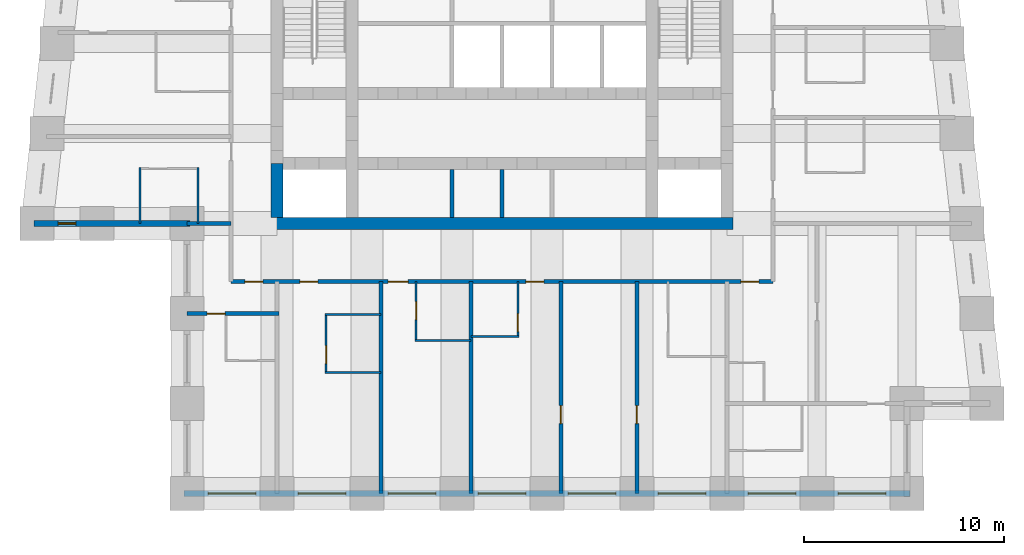
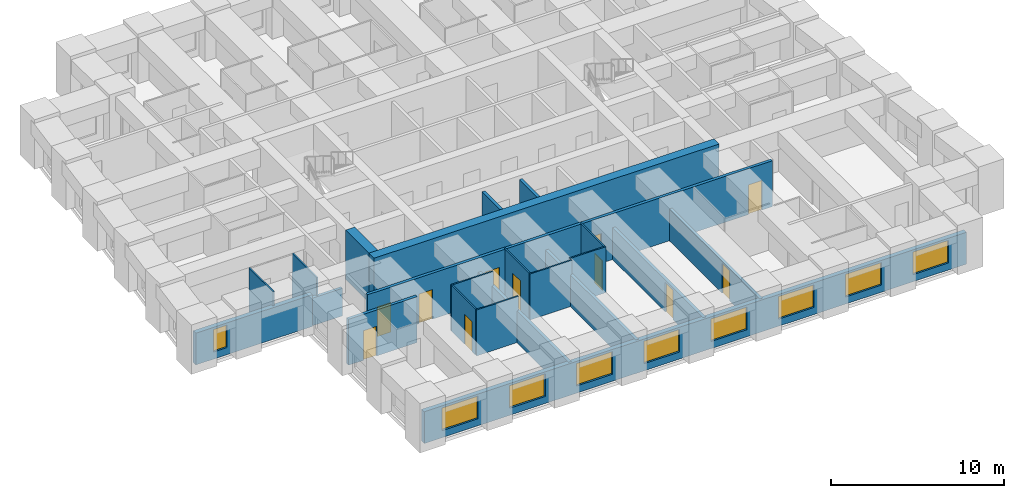
# One storey, part 2 of 8: 22 walls, 11 doors, 9 windows, 20 openings.
"""IFC4 building model written with IfcOpenShell, lengths in metres."""

from ifc_helpers import new_model, si_unit, direction, frame, frame_2d, origin, place, context, subcontext, project, spatial, rectangle, extrude, material, layer, layer_set, type_object, element, fill, save


model = new_model("IFC4")

# Units and contexts
model_context = context("Model", 3, precision=1e-05, world=origin(), true_north=direction((0.0, 1.0)))
body_context = subcontext(model_context, "Body", "Model", "MODEL_VIEW")
ifc_project = project(units=[si_unit("LENGTHUNIT", "METRE"), si_unit("AREAUNIT", "SQUARE_METRE"), si_unit("VOLUMEUNIT", "CUBIC_METRE"), si_unit("PLANEANGLEUNIT", "RADIAN"), si_unit("MASSUNIT", "GRAM", prefix="KILO")], contexts=[model_context])

# Site, building, storey
site_placement = place(None, origin())
site = spatial("IfcSite", under=ifc_project, at=site_placement, CompositionType="ELEMENT")
building_placement = place(site_placement, origin())
building = spatial("IfcBuilding", under=site, at=building_placement, Name="Kilele Tower Hotel", CompositionType="ELEMENT")
storey_placement = place(building_placement, frame((0.0, 0.0, 190.39990234375)))
storey = spatial("IfcBuildingStorey", under=building, at=storey_placement, Name="L49", CompositionType="ELEMENT", Elevation=190.39990234375)

# Walls
ifc_material_1 = material(Name="Moisture-resistant board")
ifc_layer_1 = layer(ifc_material_1, 0.10009765625)
ifc_layer_set_1 = layer_set([ifc_layer_1], Name="Moisture-resistant board")
wall_type_1 = type_object("IfcWallType", Name="Bathroom partition 100", PredefinedType="PLUMBINGWALL", material=ifc_layer_set_1)
for number, where, z_axis, x_axis, name in (
    (1, (15.89990234375, 8.949951171875, 0.0), (0.0, 0.0, 1.0), (1.0, 0.0, 0.0), "Bathroom partition 100 L49"),
    (2, (15.89990234375, 6.050048828125, 0.0), (0.0, 0.0, 1.0), (1.0, 0.0, 0.0), "Bathroom partition 100 L49"),
):
    element("IfcWall", number, at=place(storey_placement, frame(where, z_axis=z_axis, x_axis=x_axis)), inside=storey, type_object=wall_type_1, Name=name, PredefinedType="PLUMBINGWALL", context=body_context, shape_type="SweptSolid", body=[
        extrude(rectangle(XDim=2.800048828125, YDim=0.10009765625, at=frame_2d((1.39990234375, 0.0))), origin(), (0.0, 0.0, 1.0), 3.25),
    ])

# Wall, opening, door
wall_1_placement = place(storey_placement, frame((15.949951171875, 9.0, 0.0), z_axis=(0.0, 0.0, 1.0), x_axis=(0.0, -1.0, 0.0)))
wall_1 = element("IfcWall", 3, at=wall_1_placement, inside=storey, type_object=wall_type_1, Name="Bathroom partition 100 L49", PredefinedType="PLUMBINGWALL", context=body_context, shape_type="SweptSolid", body=[
    extrude(rectangle(XDim=3.0, YDim=0.10009765625, at=frame_2d((1.5, 0.0))), origin(), (0.0, 0.0, 1.0), 3.25),
])
opening_1_placement = place(wall_1_placement, frame((2.5, 0.0, 0.0), z_axis=(0.0, 0.0, 1.0), x_axis=(-1.0, 0.0, 0.0)))
opening_1 = element("IfcOpeningElement", 4, at=opening_1_placement, cuts=wall_1, Name="Opening D2A", PredefinedType="OPENING", context=body_context, shape_type="SweptSolid", body=[
    extrude(rectangle(XDim=0.89990234375, YDim=2.10009765625, at=frame_2d((0.449951171875, 1.050048828125))), frame((0.0, 0.06005859375, 0.0), z_axis=(0.0, -1.0, 0.0), x_axis=(1.0, 0.0, 0.0)), (0.0, 0.0, 1.0), 0.1201171875),
])
ifc_material_2 = material(Name="Timber door leaf in hardwood frame", Category="wood")
door_type_1 = type_object("IfcDoorType", Name="Bathroom door 900", OperationType="SINGLE_SWING_LEFT", PredefinedType="DOOR", material=ifc_material_2)
door_1_placement = place(opening_1_placement, origin())
door_1 = element("IfcDoor", 5, at=door_1_placement, inside=storey, type_object=door_type_1, Name="Bathroom door 4901B", OperationType="SINGLE_SWING_LEFT", OverallHeight=2.10009765625, OverallWidth=0.89990234375, PredefinedType="DOOR", context=body_context, shape_type="SweptSolid", body=[
    extrude(rectangle(XDim=0.89990234375, YDim=2.10009765625, at=frame_2d((0.449951171875, 1.050048828125))), frame((0.0, 0.02490234375, 0.0), z_axis=(0.0, -1.0, 0.0), x_axis=(1.0, 0.0, 0.0)), (0.0, 0.0, 1.0), 0.050048828125),
])
fill(opening_1, door_1)

# Wall
wall_2_placement = place(storey_placement, frame((20.39990234375, 7.64990234375, 0.0), z_axis=(0.0, 0.0, 1.0), x_axis=(1.0, 0.0, 0.0)))
element("IfcWall", 6, at=wall_2_placement, inside=storey, type_object=wall_type_1, Name="Bathroom partition 100 L49", PredefinedType="PLUMBINGWALL", context=body_context, shape_type="SweptSolid", body=[
    extrude(rectangle(XDim=2.800048828125, YDim=0.10009765625, at=frame_2d((1.39990234375, 0.0))), origin(), (0.0, 0.0, 1.0), 3.25),
])

# Wall, opening, door
wall_3_placement = place(storey_placement, frame((20.449951171875, 10.60009765625, 0.0), z_axis=(0.0, 0.0, 1.0), x_axis=(0.0, -1.0, 0.0)))
wall_3 = element("IfcWall", 7, at=wall_3_placement, inside=storey, type_object=wall_type_1, Name="Bathroom partition 100 L49", PredefinedType="PLUMBINGWALL", context=body_context, shape_type="SweptSolid", body=[
    extrude(rectangle(XDim=3.0, YDim=0.10009765625, at=frame_2d((1.5, 0.0))), origin(), (0.0, 0.0, 1.0), 3.25),
])
opening_2_placement = place(wall_3_placement, frame((1.89990234375, 0.0, 0.0), z_axis=(0.0, 0.0, 1.0), x_axis=(-1.0, 0.0, 0.0)))
opening_2 = element("IfcOpeningElement", 8, at=opening_2_placement, cuts=wall_3, Name="Opening D2A", PredefinedType="OPENING", context=body_context, shape_type="SweptSolid", body=[
    extrude(rectangle(XDim=0.89990234375, YDim=2.10009765625, at=frame_2d((0.449951171875, 1.050048828125))), frame((0.0, 0.06005859375, 0.0), z_axis=(0.0, -1.0, 0.0), x_axis=(1.0, 0.0, 0.0)), (0.0, 0.0, 1.0), 0.1201171875),
])
door_2_placement = place(opening_2_placement, origin())
door_2 = element("IfcDoor", 9, at=door_2_placement, inside=storey, type_object=door_type_1, Name="Bathroom door 4902B", OperationType="SINGLE_SWING_RIGHT", OverallHeight=2.10009765625, OverallWidth=0.89990234375, PredefinedType="DOOR", context=body_context, shape_type="SweptSolid", body=[
    extrude(rectangle(XDim=0.89990234375, YDim=2.10009765625, at=frame_2d((0.449951171875, 1.050048828125))), frame((0.0, 0.02490234375, 0.0), z_axis=(0.0, -1.0, 0.0), x_axis=(1.0, 0.0, 0.0)), (0.0, 0.0, 1.0), 0.050048828125),
])
fill(opening_2, door_2)

# Wall
wall_4_placement = place(storey_placement, frame((23.199951171875, 7.85009765625, 0.0), z_axis=(0.0, 0.0, 1.0), x_axis=(1.0, 0.0, 0.0)))
element("IfcWall", 10, at=wall_4_placement, inside=storey, type_object=wall_type_1, Name="Bathroom partition 100 L49", PredefinedType="PLUMBINGWALL", context=body_context, shape_type="SweptSolid", body=[
    extrude(rectangle(XDim=2.400146484375, YDim=0.10009765625, at=frame_2d((1.2001953125, 0.0))), origin(), (0.0, 0.0, 1.0), 3.25),
])

# Wall, opening, door
wall_5_placement = place(storey_placement, frame((25.550048828125, 10.60009765625, 0.0), z_axis=(0.0, 0.0, 1.0), x_axis=(0.0, -1.0, 0.0)))
wall_5 = element("IfcWall", 11, at=wall_5_placement, inside=storey, type_object=wall_type_1, Name="Bathroom partition 100 L49", PredefinedType="PLUMBINGWALL", context=body_context, shape_type="SweptSolid", body=[
    extrude(rectangle(XDim=2.800048828125, YDim=0.10009765625, at=frame_2d((1.39990234375, 0.0))), origin(), (0.0, 0.0, 1.0), 3.25),
])
opening_3_placement = place(wall_5_placement, frame((1.60009765625, 0.0, 0.0)))
opening_3 = element("IfcOpeningElement", 12, at=opening_3_placement, cuts=wall_5, Name="Opening D2A", PredefinedType="OPENING", context=body_context, shape_type="SweptSolid", body=[
    extrude(rectangle(XDim=0.89990234375, YDim=2.10009765625, at=frame_2d((0.449951171875, 1.050048828125))), frame((0.0, 0.06005859375, 0.0), z_axis=(0.0, -1.0, 0.0), x_axis=(1.0, 0.0, 0.0)), (0.0, 0.0, 1.0), 0.1201171875),
])
door_3_placement = place(opening_3_placement, origin())
door_3 = element("IfcDoor", 13, at=door_3_placement, inside=storey, type_object=door_type_1, Name="Bathroom door 4903B", OperationType="SINGLE_SWING_RIGHT", OverallHeight=2.10009765625, OverallWidth=0.89990234375, PredefinedType="DOOR", context=body_context, shape_type="SweptSolid", body=[
    extrude(rectangle(XDim=0.89990234375, YDim=2.10009765625, at=frame_2d((0.449951171875, 1.050048828125))), frame((0.0, 0.02490234375, 0.0), z_axis=(0.0, -1.0, 0.0), x_axis=(1.0, 0.0, 0.0)), (0.0, 0.0, 1.0), 0.050048828125),
])
fill(opening_3, door_3)

# Walls
for number, where, z_axis, x_axis, name in (
    (14, (9.550048828125, 13.5, 0.0), (0.0, 0.0, 1.0), (0.0, 1.0, 0.0), "Bathroom partition 100 L49"),
    (15, (6.64990234375, 13.5, 0.0), (0.0, 0.0, 1.0), (0.0, 1.0, 0.0), "Bathroom partition 100 L49"),
):
    element("IfcWall", number, at=place(storey_placement, frame(where, z_axis=z_axis, x_axis=x_axis)), inside=storey, type_object=wall_type_1, Name=name, PredefinedType="PLUMBINGWALL", context=body_context, shape_type="SweptSolid", body=[
        extrude(rectangle(XDim=2.800048828125, YDim=0.10009765625, at=frame_2d((1.39990234375, 0.0))), origin(), (0.0, 0.0, 1.0), 3.25),
    ])
ifc_material_3 = material(Name="Concrete C70/85", Category="concrete")
ifc_layer_2 = layer(ifc_material_3, 0.60009765625)
ifc_layer_set_2 = layer_set([ifc_layer_2], Name="Concrete C70/85")
wall_type_2 = type_object("IfcWallType", Name="Core wall 600 C70/85", PredefinedType="SHEAR", material=ifc_layer_set_2)
wall_6_placement = place(storey_placement, frame((13.199951171875, 13.5, 0.0), z_axis=(0.0, 0.0, 1.0), x_axis=(1.0, 0.0, 0.0)))
element("IfcWall", 16, at=wall_6_placement, inside=storey, type_object=wall_type_2, Name="Core wall S L49", PredefinedType="SHEAR", context=body_context, shape_type="SweptSolid", body=[
    extrude(rectangle(XDim=23.10009765625, YDim=0.60009765625, at=frame_2d((11.550048828125, 0.0))), origin(), (0.0, 0.0, 1.0), 3.5),
])
wall_7_placement = place(storey_placement, frame((13.5, 16.5, 0.0), z_axis=(0.0, 0.0, 1.0), x_axis=(0.0, -1.0, 0.0)))
element("IfcWall", 17, at=wall_7_placement, inside=storey, type_object=wall_type_2, Name="Core wall W3 L49", PredefinedType="SHEAR", context=body_context, shape_type="SweptSolid", body=[
    extrude(rectangle(XDim=2.699951171875, YDim=0.60009765625, at=frame_2d((1.35009765625, 0.0))), origin(), (0.0, 0.0, 1.0), 3.5),
])

# Wall, openings, doors
ifc_material_4 = material(Name="Blockwork, plastered both sides", Category="masonry")
ifc_layer_3 = layer(ifc_material_4, 0.199951171875)
ifc_layer_set_3 = layer_set([ifc_layer_3], Name="Blockwork, plastered both sides")
wall_type_3 = type_object("IfcWallType", Name="Corridor wall 200", PredefinedType="PARTITIONING", material=ifc_layer_set_3)
wall_8_placement = place(storey_placement, frame((11.199951171875, 10.60009765625, 0.0), z_axis=(0.0, 0.0, 1.0), x_axis=(1.0, 0.0, 0.0)))
wall_8 = element("IfcWall", 18, at=wall_8_placement, inside=storey, type_object=wall_type_3, Name="Corridor wall 200 L49", PredefinedType="PARTITIONING", context=body_context, shape_type="SweptSolid", body=[
    extrude(rectangle(XDim=27.10009765625, YDim=0.199951171875, at=frame_2d((13.550048828125, 0.0))), origin(), (0.0, 0.0, 1.0), 3.25),
])
opening_4_placement = place(wall_8_placement, frame((4.349853515625, 0.0, 0.0), z_axis=(0.0, 0.0, 1.0), x_axis=(-1.0, 0.0, 0.0)))
opening_4 = element("IfcOpeningElement", 19, at=opening_4_placement, cuts=wall_8, Name="Opening D1", PredefinedType="OPENING", context=body_context, shape_type="SweptSolid", body=[
    extrude(rectangle(XDim=0.89990234375, YDim=2.10009765625, at=frame_2d((0.449951171875, 1.050048828125))), frame((0.0, 0.10986328125, 0.0), z_axis=(0.0, -1.0, 0.0), x_axis=(1.0, 0.0, 0.0)), (0.0, 0.0, 1.0), 0.219970703125),
])
opening_5_placement = place(wall_8_placement, frame((8.85009765625, 0.0, 0.0), z_axis=(0.0, 0.0, 1.0), x_axis=(-1.0, 0.0, 0.0)))
opening_5 = element("IfcOpeningElement", 20, at=opening_5_placement, cuts=wall_8, Name="Opening D1A", PredefinedType="OPENING", context=body_context, shape_type="SweptSolid", body=[
    extrude(rectangle(XDim=1.0, YDim=2.10009765625, at=frame_2d((0.5, 1.050048828125))), frame((0.0, 0.10986328125, 0.0), z_axis=(0.0, -1.0, 0.0), x_axis=(1.0, 0.0, 0.0)), (0.0, 0.0, 1.0), 0.219970703125),
])
opening_6_placement = place(wall_8_placement, frame((15.64990234375, 0.0, 0.0), z_axis=(0.0, 0.0, 1.0), x_axis=(-1.0, 0.0, 0.0)))
opening_6 = element("IfcOpeningElement", 21, at=opening_6_placement, cuts=wall_8, Name="Opening D1", PredefinedType="OPENING", context=body_context, shape_type="SweptSolid", body=[
    extrude(rectangle(XDim=0.89990234375, YDim=2.10009765625, at=frame_2d((0.449951171875, 1.050048828125))), frame((0.0, 0.10986328125, 0.0), z_axis=(0.0, -1.0, 0.0), x_axis=(1.0, 0.0, 0.0)), (0.0, 0.0, 1.0), 0.219970703125),
])
opening_7_placement = place(wall_8_placement, frame((1.599853515625, 0.0, 0.0), z_axis=(0.0, 0.0, 1.0), x_axis=(-1.0, 0.0, 0.0)))
opening_7 = element("IfcOpeningElement", 22, at=opening_7_placement, cuts=wall_8, Name="Opening D1", PredefinedType="OPENING", context=body_context, shape_type="SweptSolid", body=[
    extrude(rectangle(XDim=0.89990234375, YDim=2.10009765625, at=frame_2d((0.449951171875, 1.050048828125))), frame((0.0, 0.10986328125, 0.0), z_axis=(0.0, -1.0, 0.0), x_axis=(1.0, 0.0, 0.0)), (0.0, 0.0, 1.0), 0.219970703125),
])
opening_8_placement = place(wall_8_placement, frame((26.39990234375, 0.0, 0.0), z_axis=(0.0, 0.0, 1.0), x_axis=(-1.0, 0.0, 0.0)))
opening_8 = element("IfcOpeningElement", 23, at=opening_8_placement, cuts=wall_8, Name="Opening D1", PredefinedType="OPENING", context=body_context, shape_type="SweptSolid", body=[
    extrude(rectangle(XDim=0.89990234375, YDim=2.10009765625, at=frame_2d((0.449951171875, 1.050048828125))), frame((0.0, 0.10986328125, 0.0), z_axis=(0.0, -1.0, 0.0), x_axis=(1.0, 0.0, 0.0)), (0.0, 0.0, 1.0), 0.219970703125),
])
ifc_material_5 = material(Name="Timber door leaf in hardwood frame", Category="wood")
door_type_2 = type_object("IfcDoorType", Name="Guest room entrance door 1000", OperationType="SINGLE_SWING_LEFT", PredefinedType="DOOR", material=ifc_material_5)
door_4_placement = place(opening_5_placement, origin())
door_4 = element("IfcDoor", 24, at=door_4_placement, inside=storey, type_object=door_type_2, Name="Room entrance 4902", OperationType="SINGLE_SWING_RIGHT", OverallHeight=2.10009765625, OverallWidth=1.0, PredefinedType="DOOR", context=body_context, shape_type="SweptSolid", body=[
    extrude(rectangle(XDim=1.0, YDim=2.10009765625, at=frame_2d((0.5, 1.050048828125))), frame((0.0, 0.02490234375, 0.0), z_axis=(0.0, -1.0, 0.0), x_axis=(1.0, 0.0, 0.0)), (0.0, 0.0, 1.0), 0.050048828125),
])
fill(opening_5, door_4)
ifc_material_6 = material(Name="Timber door leaf in hardwood frame", Category="wood")
door_type_3 = type_object("IfcDoorType", Name="Guest room entrance door 900", OperationType="SINGLE_SWING_LEFT", PredefinedType="DOOR", material=ifc_material_6)
door_5_placement = place(opening_4_placement, origin())
door_5 = element("IfcDoor", 25, at=door_5_placement, inside=storey, type_object=door_type_3, Name="Room entrance 4901", OperationType="SINGLE_SWING_RIGHT", OverallHeight=2.10009765625, OverallWidth=0.89990234375, PredefinedType="DOOR", context=body_context, shape_type="SweptSolid", body=[
    extrude(rectangle(XDim=0.89990234375, YDim=2.10009765625, at=frame_2d((0.449951171875, 1.050048828125))), frame((0.0, 0.02490234375, 0.0), z_axis=(0.0, -1.0, 0.0), x_axis=(1.0, 0.0, 0.0)), (0.0, 0.0, 1.0), 0.050048828125),
])
fill(opening_4, door_5)
door_6_placement = place(opening_6_placement, origin())
door_6 = element("IfcDoor", 26, at=door_6_placement, inside=storey, type_object=door_type_3, Name="Room entrance 4903", OperationType="SINGLE_SWING_RIGHT", OverallHeight=2.10009765625, OverallWidth=0.89990234375, PredefinedType="DOOR", context=body_context, shape_type="SweptSolid", body=[
    extrude(rectangle(XDim=0.89990234375, YDim=2.10009765625, at=frame_2d((0.449951171875, 1.050048828125))), frame((0.0, 0.02490234375, 0.0), z_axis=(0.0, -1.0, 0.0), x_axis=(1.0, 0.0, 0.0)), (0.0, 0.0, 1.0), 0.050048828125),
])
fill(opening_6, door_6)
door_7_placement = place(opening_7_placement, origin())
door_7 = element("IfcDoor", 27, at=door_7_placement, inside=storey, type_object=door_type_3, Name="Room entrance 4917", OperationType="SINGLE_SWING_LEFT", OverallHeight=2.10009765625, OverallWidth=0.89990234375, PredefinedType="DOOR", context=body_context, shape_type="SweptSolid", body=[
    extrude(rectangle(XDim=0.89990234375, YDim=2.10009765625, at=frame_2d((0.449951171875, 1.050048828125))), frame((0.0, 0.02490234375, 0.0), z_axis=(0.0, -1.0, 0.0), x_axis=(1.0, 0.0, 0.0)), (0.0, 0.0, 1.0), 0.050048828125),
])
fill(opening_7, door_7)
door_8_placement = place(opening_8_placement, origin())
door_8 = element("IfcDoor", 28, at=door_8_placement, inside=storey, type_object=door_type_3, Name="Room entrance 4919", OperationType="SINGLE_SWING_RIGHT", OverallHeight=2.10009765625, OverallWidth=0.89990234375, PredefinedType="DOOR", context=body_context, shape_type="SweptSolid", body=[
    extrude(rectangle(XDim=0.89990234375, YDim=2.10009765625, at=frame_2d((0.449951171875, 1.050048828125))), frame((0.0, 0.02490234375, 0.0), z_axis=(0.0, -1.0, 0.0), x_axis=(1.0, 0.0, 0.0)), (0.0, 0.0, 1.0), 0.050048828125),
])
fill(opening_8, door_8)

# Walls
ifc_material_7 = material(Name="Blockwork, plastered both sides", Category="masonry")
ifc_layer_4 = layer(ifc_material_7, 0.199951171875)
ifc_layer_set_4 = layer_set([ifc_layer_4], Name="Blockwork, plastered both sides")
wall_type_4 = type_object("IfcWallType", Name="Party wall 200", PredefinedType="PARTITIONING", material=ifc_layer_set_4)
for number, where, z_axis, x_axis, name in (
    (29, (18.699951171875, 10.60009765625, 0.0), (0.0, 0.0, 1.0), (0.0, -1.0, 0.0), "Party wall 200 L49"),
    (30, (23.199951171875, 10.60009765625, 0.0), (0.0, 0.0, 1.0), (0.0, -1.0, 0.0), "Party wall 200 L49"),
):
    element("IfcWall", number, at=place(storey_placement, frame(where, z_axis=z_axis, x_axis=x_axis)), inside=storey, type_object=wall_type_4, Name=name, PredefinedType="PARTITIONING", context=body_context, shape_type="SweptSolid", body=[
        extrude(rectangle(XDim=10.60009765625, YDim=0.199951171875, at=frame_2d((5.300048828125, 0.0))), origin(), (0.0, 0.0, 1.0), 2.25),
    ])

# Wall, opening, door
wall_9_placement = place(storey_placement, frame((27.699951171875, 10.60009765625, 0.0), z_axis=(0.0, 0.0, 1.0), x_axis=(0.0, -1.0, 0.0)))
wall_9 = element("IfcWall", 31, at=wall_9_placement, inside=storey, type_object=wall_type_4, Name="Party wall 200 L49", PredefinedType="PARTITIONING", context=body_context, shape_type="SweptSolid", body=[
    extrude(rectangle(XDim=10.60009765625, YDim=0.199951171875, at=frame_2d((5.300048828125, 0.0))), origin(), (0.0, 0.0, 1.0), 2.25),
])
opening_9_placement = place(wall_9_placement, frame((6.199951171875, 0.0, 0.0)))
opening_9 = element("IfcOpeningElement", 32, at=opening_9_placement, cuts=wall_9, Name="Opening D3", PredefinedType="OPENING", context=body_context, shape_type="SweptSolid", body=[
    extrude(rectangle(XDim=0.89990234375, YDim=2.10009765625, at=frame_2d((0.449951171875, 1.050048828125))), frame((0.0, 0.10986328125, 0.0), z_axis=(0.0, -1.0, 0.0), x_axis=(1.0, 0.0, 0.0)), (0.0, 0.0, 1.0), 0.219970703125),
])
ifc_material_8 = material(Name="Timber door leaf in hardwood frame", Category="wood")
door_type_4 = type_object("IfcDoorType", Name="Suite internal door 900", OperationType="SINGLE_SWING_LEFT", PredefinedType="DOOR", material=ifc_material_8)
door_9_placement = place(opening_9_placement, origin())
door_9 = element("IfcDoor", 33, at=door_9_placement, inside=storey, type_object=door_type_4, Name="Suite door 4904", OperationType="SINGLE_SWING_RIGHT", OverallHeight=2.10009765625, OverallWidth=0.89990234375, PredefinedType="DOOR", context=body_context, shape_type="SweptSolid", body=[
    extrude(rectangle(XDim=0.89990234375, YDim=2.10009765625, at=frame_2d((0.449951171875, 1.050048828125))), frame((0.0, 0.02490234375, 0.0), z_axis=(0.0, -1.0, 0.0), x_axis=(1.0, 0.0, 0.0)), (0.0, 0.0, 1.0), 0.050048828125),
])
fill(opening_9, door_9)

wall_10_placement = place(storey_placement, frame((31.5, 10.60009765625, 0.0), z_axis=(0.0, 0.0, 1.0), x_axis=(0.0, -1.0, 0.0)))
wall_10 = element("IfcWall", 34, at=wall_10_placement, inside=storey, type_object=wall_type_4, Name="Party wall 200 L49", PredefinedType="PARTITIONING", context=body_context, shape_type="SweptSolid", body=[
    extrude(rectangle(XDim=10.60009765625, YDim=0.199951171875, at=frame_2d((5.300048828125, 0.0))), origin(), (0.0, 0.0, 1.0), 2.25),
])
opening_10_placement = place(wall_10_placement, frame((6.199951171875, 0.0, 0.0)))
opening_10 = element("IfcOpeningElement", 35, at=opening_10_placement, cuts=wall_10, Name="Opening D3", PredefinedType="OPENING", context=body_context, shape_type="SweptSolid", body=[
    extrude(rectangle(XDim=0.89990234375, YDim=2.10009765625, at=frame_2d((0.449951171875, 1.050048828125))), frame((0.0, 0.10986328125, 0.0), z_axis=(0.0, -1.0, 0.0), x_axis=(1.0, 0.0, 0.0)), (0.0, 0.0, 1.0), 0.219970703125),
])
door_10_placement = place(opening_10_placement, origin())
door_10 = element("IfcDoor", 36, at=door_10_placement, inside=storey, type_object=door_type_4, Name="Suite door 4905", OperationType="SINGLE_SWING_RIGHT", OverallHeight=2.10009765625, OverallWidth=0.89990234375, PredefinedType="DOOR", context=body_context, shape_type="SweptSolid", body=[
    extrude(rectangle(XDim=0.89990234375, YDim=2.10009765625, at=frame_2d((0.449951171875, 1.050048828125))), frame((0.0, 0.02490234375, 0.0), z_axis=(0.0, -1.0, 0.0), x_axis=(1.0, 0.0, 0.0)), (0.0, 0.0, 1.0), 0.050048828125),
])
fill(opening_10, door_10)

# Wall
wall_11_placement = place(storey_placement, frame((11.199951171875, 13.5, 0.0), z_axis=(0.0, 0.0, 1.0), x_axis=(-1.0, 0.0, 0.0)))
element("IfcWall", 37, at=wall_11_placement, inside=storey, type_object=wall_type_4, Name="Party wall 200 L49", PredefinedType="PARTITIONING", context=body_context, shape_type="SweptSolid", body=[
    extrude(rectangle(XDim=2.199951171875, YDim=0.199951171875, at=frame_2d((1.10009765625, 0.0))), origin(), (0.0, 0.0, 1.0), 1.9501953125),
])

# Wall, opening, door
wall_12_placement = place(storey_placement, frame((13.60009765625, 9.0, 0.0), z_axis=(0.0, 0.0, 1.0), x_axis=(-1.0, 0.0, 0.0)))
wall_12 = element("IfcWall", 38, at=wall_12_placement, inside=storey, type_object=wall_type_4, Name="Party wall 200 L49", PredefinedType="PARTITIONING", context=body_context, shape_type="SweptSolid", body=[
    extrude(rectangle(XDim=4.60009765625, YDim=0.199951171875, at=frame_2d((2.300048828125, 0.0))), origin(), (0.0, 0.0, 1.0), 3.25),
])
opening_11_placement = place(wall_12_placement, frame((2.699951171875, 0.0, 0.0)))
opening_11 = element("IfcOpeningElement", 39, at=opening_11_placement, cuts=wall_12, Name="Opening D3", PredefinedType="OPENING", context=body_context, shape_type="SweptSolid", body=[
    extrude(rectangle(XDim=0.89990234375, YDim=2.10009765625, at=frame_2d((0.449951171875, 1.050048828125))), frame((0.0, 0.10986328125, 0.0), z_axis=(0.0, -1.0, 0.0), x_axis=(1.0, 0.0, 0.0)), (0.0, 0.0, 1.0), 0.219970703125),
])
door_11_placement = place(opening_11_placement, origin())
door_11 = element("IfcDoor", 40, at=door_11_placement, inside=storey, type_object=door_type_4, Name="Suite door 4918", OperationType="SINGLE_SWING_LEFT", OverallHeight=2.10009765625, OverallWidth=0.89990234375, PredefinedType="DOOR", context=body_context, shape_type="SweptSolid", body=[
    extrude(rectangle(XDim=0.89990234375, YDim=2.10009765625, at=frame_2d((0.449951171875, 1.050048828125))), frame((0.0, 0.02490234375, 0.0), z_axis=(0.0, -1.0, 0.0), x_axis=(1.0, 0.0, 0.0)), (0.0, 0.0, 1.0), 0.050048828125),
])
fill(opening_11, door_11)

# Wall, opening, window
ifc_material_9 = material(Name="Concrete C40/50 precast", Category="concrete")
ifc_layer_5 = layer(ifc_material_9, 0.260009765625, Name="Precast backing", Category="LoadBearing")
ifc_material_10 = material(Name="Reconstituted stone finish", Category="masonry")
ifc_layer_6 = layer(ifc_material_10, 0.0400390625, Name="Face mix", Category="Finish")
ifc_layer_set_5 = layer_set([ifc_layer_5, ifc_layer_6], Name="Precast concrete C40/50, reconstituted stone finish")
wall_type_5 = type_object("IfcWallType", Name="Precast stone facade wall 300", PredefinedType="STANDARD", material=ifc_layer_set_5)
wall_13_placement = place(storey_placement, frame((1.35009765625, 13.5, 0.0), z_axis=(0.0, 0.0, 1.0), x_axis=(1.0, 0.0, 0.0)))
wall_13 = element("IfcWall", 41, at=wall_13_placement, inside=storey, type_object=wall_type_5, Name="Facade wall L49 edge 1", PredefinedType="STANDARD", context=body_context, shape_type="SweptSolid", body=[
    extrude(rectangle(XDim=7.7998046875, YDim=0.300048828125, at=frame_2d((3.89990234375, 0.0))), origin(), (0.0, 0.0, 1.0), 2.25),
])
opening_12_placement = place(wall_13_placement, frame((1.199951171875, 0.0, 0.5)))
opening_12 = element("IfcOpeningElement", 42, at=opening_12_placement, cuts=wall_13, Name="Opening W3", PredefinedType="OPENING", context=body_context, shape_type="SweptSolid", body=[
    extrude(rectangle(XDim=0.89990234375, YDim=1.60009765625, at=frame_2d((0.449951171875, 0.800048828125))), frame((0.0, 0.159912109375, 0.0), z_axis=(0.0, -1.0, 0.0), x_axis=(1.0, 0.0, 0.0)), (0.0, 0.0, 1.0), 0.320068359375),
])
ifc_material_11 = material(Name="Aluminium frame, clear double glazing", Category="aluminium")
window_type_1 = type_object("IfcWindowType", Name="Window W3 900 x 1600", PartitioningType="SINGLE_PANEL", PredefinedType="WINDOW", material=ifc_material_11)
window_1_placement = place(opening_12_placement, origin())
window_1 = element("IfcWindow", 43, at=window_1_placement, inside=storey, type_object=window_type_1, Name="Window L49", OverallHeight=1.60009765625, OverallWidth=0.89990234375, PartitioningType="SINGLE_PANEL", PredefinedType="WINDOW", context=body_context, shape_type="SweptSolid", body=[
    extrude(rectangle(XDim=0.89990234375, YDim=1.60009765625, at=frame_2d((0.449951171875, 0.800048828125))), frame((0.0, 0.030029296875, 0.0), z_axis=(0.0, -1.0, 0.0), x_axis=(1.0, 0.0, 0.0)), (0.0, 0.0, 1.0), 0.06005859375),
])
fill(opening_12, window_1)

# Wall, openings, windows
wall_14_placement = place(storey_placement, frame((8.85009765625, 0.0, 0.0), z_axis=(0.0, 0.0, 1.0), x_axis=(1.0, 0.0, 0.0)))
wall_14 = element("IfcWall", 44, at=wall_14_placement, inside=storey, type_object=wall_type_5, Name="Facade wall L49 edge 3", PredefinedType="STANDARD", context=body_context, shape_type="SweptSolid", body=[
    extrude(rectangle(XDim=36.2998046875, YDim=0.300048828125, at=frame_2d((18.14990234375, 0.0))), origin(), (0.0, 0.0, 1.0), 2.25),
])
opening_13_placement = place(wall_14_placement, frame((1.199951171875, 0.0, 0.5)))
opening_13 = element("IfcOpeningElement", 45, at=opening_13_placement, cuts=wall_14, Name="Opening W3", PredefinedType="OPENING", context=body_context, shape_type="SweptSolid", body=[
    extrude(rectangle(XDim=2.39990234375, YDim=1.60009765625, at=frame_2d((1.199951171875, 0.800048828125))), frame((0.0, 0.159912109375, 0.0), z_axis=(0.0, -1.0, 0.0), x_axis=(1.0, 0.0, 0.0)), (0.0, 0.0, 1.0), 0.320068359375),
])
opening_14_placement = place(wall_14_placement, frame((5.699951171875, 0.0, 0.5)))
opening_14 = element("IfcOpeningElement", 46, at=opening_14_placement, cuts=wall_14, Name="Opening W3", PredefinedType="OPENING", context=body_context, shape_type="SweptSolid", body=[
    extrude(rectangle(XDim=2.39990234375, YDim=1.60009765625, at=frame_2d((1.199951171875, 0.800048828125))), frame((0.0, 0.159912109375, 0.0), z_axis=(0.0, -1.0, 0.0), x_axis=(1.0, 0.0, 0.0)), (0.0, 0.0, 1.0), 0.320068359375),
])
opening_15_placement = place(wall_14_placement, frame((10.199951171875, 0.0, 0.5)))
opening_15 = element("IfcOpeningElement", 47, at=opening_15_placement, cuts=wall_14, Name="Opening W3", PredefinedType="OPENING", context=body_context, shape_type="SweptSolid", body=[
    extrude(rectangle(XDim=2.39990234375, YDim=1.60009765625, at=frame_2d((1.199951171875, 0.800048828125))), frame((0.0, 0.159912109375, 0.0), z_axis=(0.0, -1.0, 0.0), x_axis=(1.0, 0.0, 0.0)), (0.0, 0.0, 1.0), 0.320068359375),
])
opening_16_placement = place(wall_14_placement, frame((14.699951171875, 0.0, 0.5)))
opening_16 = element("IfcOpeningElement", 48, at=opening_16_placement, cuts=wall_14, Name="Opening W3", PredefinedType="OPENING", context=body_context, shape_type="SweptSolid", body=[
    extrude(rectangle(XDim=2.39990234375, YDim=1.60009765625, at=frame_2d((1.199951171875, 0.800048828125))), frame((0.0, 0.159912109375, 0.0), z_axis=(0.0, -1.0, 0.0), x_axis=(1.0, 0.0, 0.0)), (0.0, 0.0, 1.0), 0.320068359375),
])
opening_17_placement = place(wall_14_placement, frame((19.199951171875, 0.0, 0.5)))
opening_17 = element("IfcOpeningElement", 49, at=opening_17_placement, cuts=wall_14, Name="Opening W3", PredefinedType="OPENING", context=body_context, shape_type="SweptSolid", body=[
    extrude(rectangle(XDim=2.39990234375, YDim=1.60009765625, at=frame_2d((1.199951171875, 0.800048828125))), frame((0.0, 0.159912109375, 0.0), z_axis=(0.0, -1.0, 0.0), x_axis=(1.0, 0.0, 0.0)), (0.0, 0.0, 1.0), 0.320068359375),
])
opening_18_placement = place(wall_14_placement, frame((23.699951171875, 0.0, 0.5)))
opening_18 = element("IfcOpeningElement", 50, at=opening_18_placement, cuts=wall_14, Name="Opening W3", PredefinedType="OPENING", context=body_context, shape_type="SweptSolid", body=[
    extrude(rectangle(XDim=2.39990234375, YDim=1.60009765625, at=frame_2d((1.199951171875, 0.800048828125))), frame((0.0, 0.159912109375, 0.0), z_axis=(0.0, -1.0, 0.0), x_axis=(1.0, 0.0, 0.0)), (0.0, 0.0, 1.0), 0.320068359375),
])
opening_19_placement = place(wall_14_placement, frame((28.199951171875, 0.0, 0.5)))
opening_19 = element("IfcOpeningElement", 51, at=opening_19_placement, cuts=wall_14, Name="Opening W3", PredefinedType="OPENING", context=body_context, shape_type="SweptSolid", body=[
    extrude(rectangle(XDim=2.39990234375, YDim=1.60009765625, at=frame_2d((1.199951171875, 0.800048828125))), frame((0.0, 0.159912109375, 0.0), z_axis=(0.0, -1.0, 0.0), x_axis=(1.0, 0.0, 0.0)), (0.0, 0.0, 1.0), 0.320068359375),
])
opening_20_placement = place(wall_14_placement, frame((32.699951171875, 0.0, 0.5)))
opening_20 = element("IfcOpeningElement", 52, at=opening_20_placement, cuts=wall_14, Name="Opening W3", PredefinedType="OPENING", context=body_context, shape_type="SweptSolid", body=[
    extrude(rectangle(XDim=2.39990234375, YDim=1.60009765625, at=frame_2d((1.199951171875, 0.800048828125))), frame((0.0, 0.159912109375, 0.0), z_axis=(0.0, -1.0, 0.0), x_axis=(1.0, 0.0, 0.0)), (0.0, 0.0, 1.0), 0.320068359375),
])
ifc_material_12 = material(Name="Aluminium frame, clear double glazing", Category="aluminium")
window_type_2 = type_object("IfcWindowType", Name="Window W3 2400 x 1600", PartitioningType="SINGLE_PANEL", PredefinedType="WINDOW", material=ifc_material_12)
window_2_placement = place(opening_13_placement, origin())
window_2 = element("IfcWindow", 53, at=window_2_placement, inside=storey, type_object=window_type_2, Name="Window L49", OverallHeight=1.60009765625, OverallWidth=2.39990234375, PartitioningType="SINGLE_PANEL", PredefinedType="WINDOW", context=body_context, shape_type="SweptSolid", body=[
    extrude(rectangle(XDim=2.39990234375, YDim=1.60009765625, at=frame_2d((1.199951171875, 0.800048828125))), frame((0.0, 0.030029296875, 0.0), z_axis=(0.0, -1.0, 0.0), x_axis=(1.0, 0.0, 0.0)), (0.0, 0.0, 1.0), 0.06005859375),
])
fill(opening_13, window_2)
window_3_placement = place(opening_14_placement, origin())
window_3 = element("IfcWindow", 54, at=window_3_placement, inside=storey, type_object=window_type_2, Name="Window L49", OverallHeight=1.60009765625, OverallWidth=2.39990234375, PartitioningType="SINGLE_PANEL", PredefinedType="WINDOW", context=body_context, shape_type="SweptSolid", body=[
    extrude(rectangle(XDim=2.39990234375, YDim=1.60009765625, at=frame_2d((1.199951171875, 0.800048828125))), frame((0.0, 0.030029296875, 0.0), z_axis=(0.0, -1.0, 0.0), x_axis=(1.0, 0.0, 0.0)), (0.0, 0.0, 1.0), 0.06005859375),
])
fill(opening_14, window_3)
window_4_placement = place(opening_15_placement, origin())
window_4 = element("IfcWindow", 55, at=window_4_placement, inside=storey, type_object=window_type_2, Name="Window L49", OverallHeight=1.60009765625, OverallWidth=2.39990234375, PartitioningType="SINGLE_PANEL", PredefinedType="WINDOW", context=body_context, shape_type="SweptSolid", body=[
    extrude(rectangle(XDim=2.39990234375, YDim=1.60009765625, at=frame_2d((1.199951171875, 0.800048828125))), frame((0.0, 0.030029296875, 0.0), z_axis=(0.0, -1.0, 0.0), x_axis=(1.0, 0.0, 0.0)), (0.0, 0.0, 1.0), 0.06005859375),
])
fill(opening_15, window_4)
window_5_placement = place(opening_16_placement, origin())
window_5 = element("IfcWindow", 56, at=window_5_placement, inside=storey, type_object=window_type_2, Name="Window L49", OverallHeight=1.60009765625, OverallWidth=2.39990234375, PartitioningType="SINGLE_PANEL", PredefinedType="WINDOW", context=body_context, shape_type="SweptSolid", body=[
    extrude(rectangle(XDim=2.39990234375, YDim=1.60009765625, at=frame_2d((1.199951171875, 0.800048828125))), frame((0.0, 0.030029296875, 0.0), z_axis=(0.0, -1.0, 0.0), x_axis=(1.0, 0.0, 0.0)), (0.0, 0.0, 1.0), 0.06005859375),
])
fill(opening_16, window_5)
window_6_placement = place(opening_17_placement, origin())
window_6 = element("IfcWindow", 57, at=window_6_placement, inside=storey, type_object=window_type_2, Name="Window L49", OverallHeight=1.60009765625, OverallWidth=2.39990234375, PartitioningType="SINGLE_PANEL", PredefinedType="WINDOW", context=body_context, shape_type="SweptSolid", body=[
    extrude(rectangle(XDim=2.39990234375, YDim=1.60009765625, at=frame_2d((1.199951171875, 0.800048828125))), frame((0.0, 0.030029296875, 0.0), z_axis=(0.0, -1.0, 0.0), x_axis=(1.0, 0.0, 0.0)), (0.0, 0.0, 1.0), 0.06005859375),
])
fill(opening_17, window_6)
window_7_placement = place(opening_18_placement, origin())
window_7 = element("IfcWindow", 58, at=window_7_placement, inside=storey, type_object=window_type_2, Name="Window L49", OverallHeight=1.60009765625, OverallWidth=2.39990234375, PartitioningType="SINGLE_PANEL", PredefinedType="WINDOW", context=body_context, shape_type="SweptSolid", body=[
    extrude(rectangle(XDim=2.39990234375, YDim=1.60009765625, at=frame_2d((1.199951171875, 0.800048828125))), frame((0.0, 0.030029296875, 0.0), z_axis=(0.0, -1.0, 0.0), x_axis=(1.0, 0.0, 0.0)), (0.0, 0.0, 1.0), 0.06005859375),
])
fill(opening_18, window_7)
window_8_placement = place(opening_19_placement, origin())
window_8 = element("IfcWindow", 59, at=window_8_placement, inside=storey, type_object=window_type_2, Name="Window L49", OverallHeight=1.60009765625, OverallWidth=2.39990234375, PartitioningType="SINGLE_PANEL", PredefinedType="WINDOW", context=body_context, shape_type="SweptSolid", body=[
    extrude(rectangle(XDim=2.39990234375, YDim=1.60009765625, at=frame_2d((1.199951171875, 0.800048828125))), frame((0.0, 0.030029296875, 0.0), z_axis=(0.0, -1.0, 0.0), x_axis=(1.0, 0.0, 0.0)), (0.0, 0.0, 1.0), 0.06005859375),
])
fill(opening_19, window_8)
window_9_placement = place(opening_20_placement, origin())
window_9 = element("IfcWindow", 60, at=window_9_placement, inside=storey, type_object=window_type_2, Name="Window L49", OverallHeight=1.60009765625, OverallWidth=2.39990234375, PartitioningType="SINGLE_PANEL", PredefinedType="WINDOW", context=body_context, shape_type="SweptSolid", body=[
    extrude(rectangle(XDim=2.39990234375, YDim=1.60009765625, at=frame_2d((1.199951171875, 0.800048828125))), frame((0.0, 0.030029296875, 0.0), z_axis=(0.0, -1.0, 0.0), x_axis=(1.0, 0.0, 0.0)), (0.0, 0.0, 1.0), 0.06005859375),
])
fill(opening_20, window_9)

# Walls
ifc_material_13 = material(Name="Blockwork, fire-rated", Category="masonry")
ifc_layer_7 = layer(ifc_material_13, 0.199951171875)
ifc_layer_set_6 = layer_set([ifc_layer_7], Name="Blockwork, fire-rated")
wall_type_6 = type_object("IfcWallType", Name="Shaft wall 200", PredefinedType="PARTITIONING", material=ifc_layer_set_6)
for number, where, z_axis, x_axis, name in (
    (61, (22.25, 13.800048828125, 0.0), (0.0, 0.0, 1.0), (0.0, 1.0, 0.0), "Shaft wall 200 L49"),
    (62, (24.75, 13.800048828125, 0.0), (0.0, 0.0, 1.0), (0.0, 1.0, 0.0), "Shaft wall 200 L49"),
):
    element("IfcWall", number, at=place(storey_placement, frame(where, z_axis=z_axis, x_axis=x_axis)), inside=storey, type_object=wall_type_6, Name=name, PredefinedType="PARTITIONING", context=body_context, shape_type="SweptSolid", body=[
        extrude(rectangle(XDim=2.39990234375, YDim=0.199951171875, at=frame_2d((1.199951171875, 0.0))), origin(), (0.0, 0.0, 1.0), 3.25),
    ])

save(model, "model.ifc")
